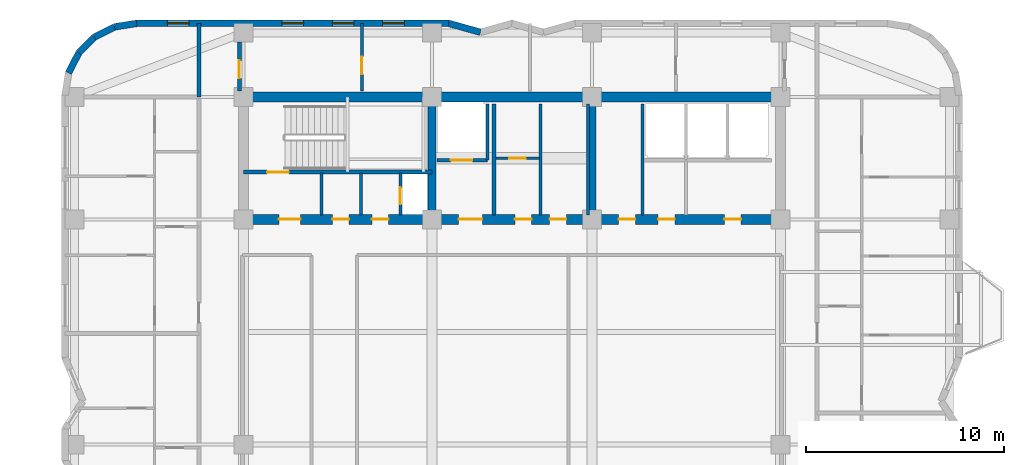
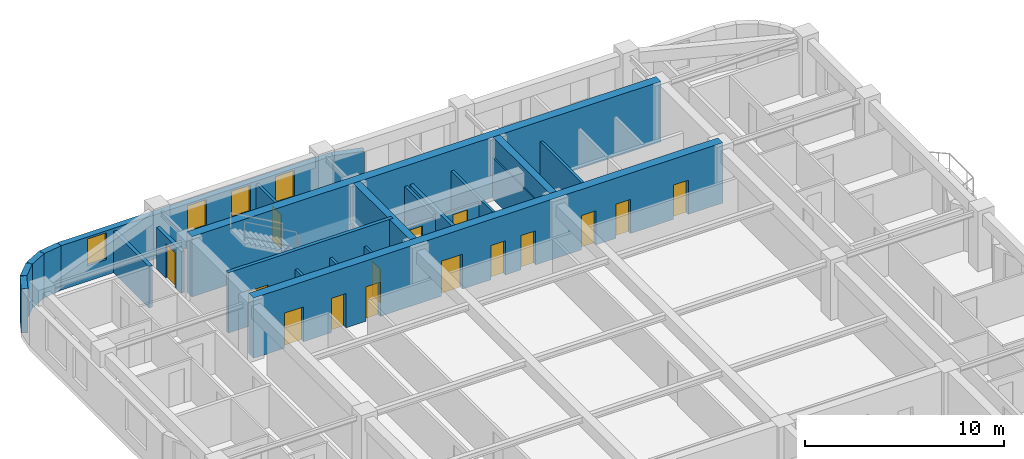
# One storey, part 6 of 9: 24 walls, 15 doors, 4 windows, 19 openings.
"""IFC4 building model written with IfcOpenShell, lengths in metres."""

from ifc_helpers import new_model, si_unit, direction, frame, frame_2d, origin, place, context, subcontext, project, spatial, rectangle, extrude, material, layer, layer_set, type_object, element, fill, save


model = new_model("IFC4")

# Units and contexts
model_context = context("Model", 3, precision=1e-05, world=origin(), true_north=direction((0.0, 1.0)))
body_context = subcontext(model_context, "Body", "Model", "MODEL_VIEW")
ifc_project = project(units=[si_unit("LENGTHUNIT", "METRE"), si_unit("AREAUNIT", "SQUARE_METRE"), si_unit("VOLUMEUNIT", "CUBIC_METRE"), si_unit("PLANEANGLEUNIT", "RADIAN"), si_unit("MASSUNIT", "GRAM", prefix="KILO")], contexts=[model_context])

# Site, building, storey
site_placement = place(None, origin())
site = spatial("IfcSite", under=ifc_project, at=site_placement, CompositionType="ELEMENT")
building_placement = place(site_placement, origin())
building = spatial("IfcBuilding", under=site, at=building_placement, Name="Svetorya Sky Lyceum", CompositionType="ELEMENT")
storey_placement = place(building_placement, frame((0.0, 0.0, 162.60009765625)))
storey = spatial("IfcBuildingStorey", under=building, at=storey_placement, Name="L40", CompositionType="ELEMENT", Elevation=162.60009765625)

# Walls
ifc_material_1 = material(Name="Concrete C40/50", Category="concrete")
ifc_layer_1 = layer(ifc_material_1, 0.39990234375)
ifc_layer_set_1 = layer_set([ifc_layer_1], Name="Concrete C40/50")
wall_type_1 = type_object("IfcWallType", Name="WL-CORE-400", PredefinedType="SHEAR", material=ifc_layer_set_1)
for number, where, z_axis, x_axis, name in (
    (1, (35.14990234375, 39.85009765625, 0.0), (0.0, 0.0, 1.0), (0.0, 1.0, 0.0), "L40 NC Internal Shear Web WEB1"),
    (2, (43.25, 39.85009765625, 0.0), (0.0, 0.0, 1.0), (0.0, 1.0, 0.0), "L40 NC Internal Shear Web WEB2"),
):
    element("IfcWall", number, at=place(storey_placement, frame(where, z_axis=z_axis, x_axis=x_axis)), inside=storey, type_object=wall_type_1, Name=name, PredefinedType="SHEAR", context=body_context, shape_type="SweptSolid", body=[
        extrude(rectangle(XDim=5.699951171875, YDim=0.39990234375, at=frame_2d((2.85009765625, 0.0))), origin(), (0.0, 0.0, 1.0), 3.699951171875),
    ])
ifc_material_2 = material(Name="Concrete C50/60", Category="concrete")
ifc_layer_2 = layer(ifc_material_2, 0.5)
ifc_layer_set_2 = layer_set([ifc_layer_2], Name="Concrete C50/60")
wall_type_2 = type_object("IfcWallType", Name="WL-CORE-500", PredefinedType="SHEAR", material=ifc_layer_set_2)
wall_1_placement = place(storey_placement, frame((25.60009765625, 45.800048828125, 0.0), z_axis=(0.0, 0.0, 1.0), x_axis=(1.0, 0.0, 0.0)))
element("IfcWall", 3, at=wall_1_placement, inside=storey, type_object=wall_type_2, Name="L40 NC Outer Core Shear Wall", PredefinedType="SHEAR", context=body_context, shape_type="SweptSolid", body=[
    extrude(rectangle(XDim=27.199951171875, YDim=0.5, at=frame_2d((13.60009765625, 0.0))), origin(), (0.0, 0.0, 1.0), 3.699951171875),
])

# Wall, openings, doors
wall_2_placement = place(storey_placement, frame((52.800048828125, 39.60009765625, 0.0), z_axis=(0.0, 0.0, 1.0), x_axis=(-1.0, 0.0, 0.0)))
wall_2 = element("IfcWall", 4, at=wall_2_placement, inside=storey, type_object=wall_type_2, Name="L40 NC Inner Core Shear Wall", PredefinedType="SHEAR", context=body_context, shape_type="SweptSolid", body=[
    extrude(rectangle(XDim=27.199951171875, YDim=0.5, at=frame_2d((13.60009765625, 0.0))), origin(), (0.0, 0.0, 1.0), 3.699951171875),
])
opening_1_placement = place(wall_2_placement, frame((24.300048828125, 0.0, 0.0)))
opening_1 = element("IfcOpeningElement", 5, at=opening_1_placement, cuts=wall_2, Name="Opening D-ST1", PredefinedType="OPENING", context=body_context, shape_type="SweptSolid", body=[
    extrude(rectangle(XDim=1.10009765625, YDim=2.14990234375, at=frame_2d((0.550048828125, 1.074951171875))), frame((0.0, 0.260009765625, 0.0), z_axis=(0.0, -1.0, 0.0), x_axis=(1.0, 0.0, 0.0)), (0.0, 0.0, 1.0), 0.52001953125),
])
opening_2_placement = place(wall_2_placement, frame((21.85009765625, 0.0, 0.0)))
opening_2 = element("IfcOpeningElement", 6, at=opening_2_placement, cuts=wall_2, Name="Opening D-CWC1", PredefinedType="OPENING", context=body_context, shape_type="SweptSolid", body=[
    extrude(rectangle(XDim=0.85009765625, YDim=2.10009765625, at=frame_2d((0.425048828125, 1.050048828125))), frame((0.0, 0.260009765625, 0.0), z_axis=(0.0, -1.0, 0.0), x_axis=(1.0, 0.0, 0.0)), (0.0, 0.0, 1.0), 0.52001953125),
])
opening_3_placement = place(wall_2_placement, frame((19.85009765625, 0.0, 0.0)))
opening_3 = element("IfcOpeningElement", 7, at=opening_3_placement, cuts=wall_2, Name="Opening D-CWC1", PredefinedType="OPENING", context=body_context, shape_type="SweptSolid", body=[
    extrude(rectangle(XDim=0.85009765625, YDim=2.10009765625, at=frame_2d((0.425048828125, 1.050048828125))), frame((0.0, 0.260009765625, 0.0), z_axis=(0.0, -1.0, 0.0), x_axis=(1.0, 0.0, 0.0)), (0.0, 0.0, 1.0), 0.52001953125),
])
opening_4_placement = place(wall_2_placement, frame((15.10009765625, 0.0, 0.0)))
opening_4 = element("IfcOpeningElement", 8, at=opening_4_placement, cuts=wall_2, Name="Opening D-FL1", PredefinedType="OPENING", context=body_context, shape_type="SweptSolid", body=[
    extrude(rectangle(XDim=1.199951171875, YDim=2.14990234375, at=frame_2d((0.60009765625, 1.074951171875))), frame((0.0, 0.260009765625, 0.0), z_axis=(0.0, -1.0, 0.0), x_axis=(1.0, 0.0, 0.0)), (0.0, 0.0, 1.0), 0.52001953125),
])
opening_5_placement = place(wall_2_placement, frame((12.60009765625, 0.0, 0.0)))
opening_5 = element("IfcOpeningElement", 9, at=opening_5_placement, cuts=wall_2, Name="Opening D-CWC1", PredefinedType="OPENING", context=body_context, shape_type="SweptSolid", body=[
    extrude(rectangle(XDim=0.85009765625, YDim=2.10009765625, at=frame_2d((0.425048828125, 1.050048828125))), frame((0.0, 0.260009765625, 0.0), z_axis=(0.0, -1.0, 0.0), x_axis=(1.0, 0.0, 0.0)), (0.0, 0.0, 1.0), 0.52001953125),
])
opening_6_placement = place(wall_2_placement, frame((10.85009765625, 0.0, 0.0)))
opening_6 = element("IfcOpeningElement", 10, at=opening_6_placement, cuts=wall_2, Name="Opening D-CWC1", PredefinedType="OPENING", context=body_context, shape_type="SweptSolid", body=[
    extrude(rectangle(XDim=0.85009765625, YDim=2.10009765625, at=frame_2d((0.425048828125, 1.050048828125))), frame((0.0, 0.260009765625, 0.0), z_axis=(0.0, -1.0, 0.0), x_axis=(1.0, 0.0, 0.0)), (0.0, 0.0, 1.0), 0.52001953125),
])
opening_7_placement = place(wall_2_placement, frame((7.35009765625, 0.0, 0.0)))
opening_7 = element("IfcOpeningElement", 11, at=opening_7_placement, cuts=wall_2, Name="Opening D-CWC1", PredefinedType="OPENING", context=body_context, shape_type="SweptSolid", body=[
    extrude(rectangle(XDim=0.85009765625, YDim=2.10009765625, at=frame_2d((0.425048828125, 1.050048828125))), frame((0.0, 0.260009765625, 0.0), z_axis=(0.0, -1.0, 0.0), x_axis=(1.0, 0.0, 0.0)), (0.0, 0.0, 1.0), 0.52001953125),
])
opening_8_placement = place(wall_2_placement, frame((5.35009765625, 0.0, 0.0)))
opening_8 = element("IfcOpeningElement", 12, at=opening_8_placement, cuts=wall_2, Name="Opening D-CWC1", PredefinedType="OPENING", context=body_context, shape_type="SweptSolid", body=[
    extrude(rectangle(XDim=0.85009765625, YDim=2.10009765625, at=frame_2d((0.425048828125, 1.050048828125))), frame((0.0, 0.260009765625, 0.0), z_axis=(0.0, -1.0, 0.0), x_axis=(1.0, 0.0, 0.0)), (0.0, 0.0, 1.0), 0.52001953125),
])
opening_9_placement = place(wall_2_placement, frame((2.0, 0.0, 0.0)))
opening_9 = element("IfcOpeningElement", 13, at=opening_9_placement, cuts=wall_2, Name="Opening D-CWC1", PredefinedType="OPENING", context=body_context, shape_type="SweptSolid", body=[
    extrude(rectangle(XDim=0.85009765625, YDim=2.10009765625, at=frame_2d((0.425048828125, 1.050048828125))), frame((0.0, 0.260009765625, 0.0), z_axis=(0.0, -1.0, 0.0), x_axis=(1.0, 0.0, 0.0)), (0.0, 0.0, 1.0), 0.52001953125),
])
ifc_material_3 = material(Name="Fire-rated galvanized steel core service closet door", Category="steel")
door_type_1 = type_object("IfcDoorType", Name="DR-CWET-850", OperationType="SINGLE_SWING_LEFT", PredefinedType="DOOR", material=ifc_material_3)
door_1_placement = place(opening_2_placement, origin())
door_1 = element("IfcDoor", 14, at=door_1_placement, inside=storey, type_object=door_type_1, Name="L40 North Cleaner Door", OperationType="SINGLE_SWING_RIGHT", OverallHeight=2.10009765625, OverallWidth=0.85009765625, PredefinedType="DOOR", context=body_context, shape_type="SweptSolid", body=[
    extrude(rectangle(XDim=0.85009765625, YDim=2.10009765625, at=frame_2d((0.425048828125, 1.050048828125))), frame((0.0, 0.02490234375, 0.0), z_axis=(0.0, -1.0, 0.0), x_axis=(1.0, 0.0, 0.0)), (0.0, 0.0, 1.0), 0.050048828125),
])
fill(opening_2, door_1)
door_2_placement = place(opening_3_placement, origin())
door_2 = element("IfcDoor", 15, at=door_2_placement, inside=storey, type_object=door_type_1, Name="L40 North Meter Door", OperationType="SINGLE_SWING_LEFT", OverallHeight=2.10009765625, OverallWidth=0.85009765625, PredefinedType="DOOR", context=body_context, shape_type="SweptSolid", body=[
    extrude(rectangle(XDim=0.85009765625, YDim=2.10009765625, at=frame_2d((0.425048828125, 1.050048828125))), frame((0.0, 0.02490234375, 0.0), z_axis=(0.0, -1.0, 0.0), x_axis=(1.0, 0.0, 0.0)), (0.0, 0.0, 1.0), 0.050048828125),
])
fill(opening_3, door_2)
door_3_placement = place(opening_5_placement, origin())
door_3 = element("IfcDoor", 16, at=door_3_placement, inside=storey, type_object=door_type_1, Name="L40 Cleaner Vestibule Door", OperationType="SINGLE_SWING_LEFT", OverallHeight=2.10009765625, OverallWidth=0.85009765625, PredefinedType="DOOR", context=body_context, shape_type="SweptSolid", body=[
    extrude(rectangle(XDim=0.85009765625, YDim=2.10009765625, at=frame_2d((0.425048828125, 1.050048828125))), frame((0.0, 0.02490234375, 0.0), z_axis=(0.0, -1.0, 0.0), x_axis=(1.0, 0.0, 0.0)), (0.0, 0.0, 1.0), 0.050048828125),
])
fill(opening_5, door_3)
door_4_placement = place(opening_6_placement, origin())
door_4 = element("IfcDoor", 17, at=door_4_placement, inside=storey, type_object=door_type_1, Name="L40 Upper Pram Store Door", OperationType="SINGLE_SWING_RIGHT", OverallHeight=2.10009765625, OverallWidth=0.85009765625, PredefinedType="DOOR", context=body_context, shape_type="SweptSolid", body=[
    extrude(rectangle(XDim=0.85009765625, YDim=2.10009765625, at=frame_2d((0.425048828125, 1.050048828125))), frame((0.0, 0.02490234375, 0.0), z_axis=(0.0, -1.0, 0.0), x_axis=(1.0, 0.0, 0.0)), (0.0, 0.0, 1.0), 0.050048828125),
])
fill(opening_6, door_4)
door_5_placement = place(opening_7_placement, origin())
door_5 = element("IfcDoor", 18, at=door_5_placement, inside=storey, type_object=door_type_1, Name="L40 High-Zone Utility Room Door", OperationType="SINGLE_SWING_LEFT", OverallHeight=2.10009765625, OverallWidth=0.85009765625, PredefinedType="DOOR", context=body_context, shape_type="SweptSolid", body=[
    extrude(rectangle(XDim=0.85009765625, YDim=2.10009765625, at=frame_2d((0.425048828125, 1.050048828125))), frame((0.0, 0.02490234375, 0.0), z_axis=(0.0, -1.0, 0.0), x_axis=(1.0, 0.0, 0.0)), (0.0, 0.0, 1.0), 0.050048828125),
])
fill(opening_7, door_5)
door_6_placement = place(opening_8_placement, origin())
door_6 = element("IfcDoor", 19, at=door_6_placement, inside=storey, type_object=door_type_1, Name="L40 North Electrical Door", OperationType="SINGLE_SWING_LEFT", OverallHeight=2.10009765625, OverallWidth=0.85009765625, PredefinedType="DOOR", context=body_context, shape_type="SweptSolid", body=[
    extrude(rectangle(XDim=0.85009765625, YDim=2.10009765625, at=frame_2d((0.425048828125, 1.050048828125))), frame((0.0, 0.02490234375, 0.0), z_axis=(0.0, -1.0, 0.0), x_axis=(1.0, 0.0, 0.0)), (0.0, 0.0, 1.0), 0.050048828125),
])
fill(opening_8, door_6)
door_7_placement = place(opening_9_placement, origin())
door_7 = element("IfcDoor", 20, at=door_7_placement, inside=storey, type_object=door_type_1, Name="L40 North Pram Door", OperationType="SINGLE_SWING_RIGHT", OverallHeight=2.10009765625, OverallWidth=0.85009765625, PredefinedType="DOOR", context=body_context, shape_type="SweptSolid", body=[
    extrude(rectangle(XDim=0.85009765625, YDim=2.10009765625, at=frame_2d((0.425048828125, 1.050048828125))), frame((0.0, 0.02490234375, 0.0), z_axis=(0.0, -1.0, 0.0), x_axis=(1.0, 0.0, 0.0)), (0.0, 0.0, 1.0), 0.050048828125),
])
fill(opening_9, door_7)
ifc_material_4 = material(Name="Powder-coated insulated galvanized stair fire door")
door_type_2 = type_object("IfcDoorType", Name="DR-FIRE-1100", OperationType="SINGLE_SWING_LEFT", PredefinedType="DOOR", material=ifc_material_4)
door_8_placement = place(opening_1_placement, origin())
door_8 = element("IfcDoor", 21, at=door_8_placement, inside=storey, type_object=door_type_2, Name="L40 North Stair Airlock Door", OperationType="SINGLE_SWING_LEFT", OverallHeight=2.14990234375, OverallWidth=1.10009765625, PredefinedType="DOOR", context=body_context, shape_type="SweptSolid", body=[
    extrude(rectangle(XDim=1.10009765625, YDim=2.14990234375, at=frame_2d((0.550048828125, 1.074951171875))), frame((0.0, 0.02490234375, 0.0), z_axis=(0.0, -1.0, 0.0), x_axis=(1.0, 0.0, 0.0)), (0.0, 0.0, 1.0), 0.050048828125),
])
fill(opening_1, door_8)
ifc_material_5 = material(Name="Powder-coated insulated galvanized fire door")
door_type_3 = type_object("IfcDoorType", Name="DR-FIRE-1200", OperationType="SINGLE_SWING_LEFT", PredefinedType="DOOR", material=ifc_material_5)
door_9_placement = place(opening_4_placement, origin())
door_9 = element("IfcDoor", 22, at=door_9_placement, inside=storey, type_object=door_type_3, Name="L40 North Firefighting Lift Lobby Door", OperationType="SINGLE_SWING_RIGHT", OverallHeight=2.14990234375, OverallWidth=1.199951171875, PredefinedType="DOOR", context=body_context, shape_type="SweptSolid", body=[
    extrude(rectangle(XDim=1.199951171875, YDim=2.14990234375, at=frame_2d((0.60009765625, 1.074951171875))), frame((0.0, 0.02490234375, 0.0), z_axis=(0.0, -1.0, 0.0), x_axis=(1.0, 0.0, 0.0)), (0.0, 0.0, 1.0), 0.050048828125),
])
fill(opening_4, door_9)

# Wall
ifc_material_6 = material(Name="Putilovo limestone rainscreen on autoclaved cellular masonry", Category="masonry")
ifc_layer_3 = layer(ifc_material_6, 0.340087890625)
ifc_layer_set_3 = layer_set([ifc_layer_3], Name="Putilovo limestone rainscreen on autoclaved cellular masonry")
wall_type_3 = type_object("IfcWallType", Name="WL-EXT-340", PredefinedType="SOLIDWALL", material=ifc_layer_set_3)
wall_3_placement = place(storey_placement, frame((37.60009765625, 49.080078125, 0.0), z_axis=(0.0, 0.0, 1.0), x_axis=(-0.962662902433, 0.270703040766, 0.0)))
element("IfcWall", 23, at=wall_3_placement, inside=storey, type_object=wall_type_3, Name="L40 Limestone Exterior Wall 33M", PredefinedType="SOLIDWALL", context=body_context, shape_type="SweptSolid", body=[
    extrude(rectangle(XDim=1.662109375, YDim=0.340087890625, at=frame_2d((0.8310546875, 0.0))), origin(), (0.0, 0.0, 1.0), 2.719970703125),
])

# Wall, openings, windows
wall_4_placement = place(storey_placement, frame((36.0, 49.530029296875, 0.0), z_axis=(0.0, 0.0, 1.0), x_axis=(-1.0, 0.0, 0.0)))
wall_4 = element("IfcWall", 24, at=wall_4_placement, inside=storey, type_object=wall_type_3, Name="L40 Limestone Exterior Wall 34M", PredefinedType="SOLIDWALL", context=body_context, shape_type="SweptSolid", body=[
    extrude(rectangle(XDim=15.800048828125, YDim=0.340087890625, at=frame_2d((7.89990234375, 0.0))), origin(), (0.0, 0.0, 1.0), 2.719970703125),
])
opening_10_placement = place(wall_4_placement, frame((2.25, 0.0, 0.949951171875)))
opening_10 = element("IfcOpeningElement", 25, at=opening_10_placement, cuts=wall_4, Name="Opening W-R3", PredefinedType="OPENING", context=body_context, shape_type="SweptSolid", body=[
    extrude(rectangle(XDim=1.10009765625, YDim=1.64990234375, at=frame_2d((0.550048828125, 0.824951171875))), frame((0.0, 0.179931640625, 0.0), z_axis=(0.0, -1.0, 0.0), x_axis=(1.0, 0.0, 0.0)), (0.0, 0.0, 1.0), 0.360107421875),
])
opening_11_placement = place(wall_4_placement, frame((4.800048828125, 0.0, 0.949951171875)))
opening_11 = element("IfcOpeningElement", 26, at=opening_11_placement, cuts=wall_4, Name="Opening W-R3", PredefinedType="OPENING", context=body_context, shape_type="SweptSolid", body=[
    extrude(rectangle(XDim=1.10009765625, YDim=1.64990234375, at=frame_2d((0.550048828125, 0.824951171875))), frame((0.0, 0.179931640625, 0.0), z_axis=(0.0, -1.0, 0.0), x_axis=(1.0, 0.0, 0.0)), (0.0, 0.0, 1.0), 0.360107421875),
])
opening_12_placement = place(wall_4_placement, frame((7.35009765625, 0.0, 0.949951171875)))
opening_12 = element("IfcOpeningElement", 27, at=opening_12_placement, cuts=wall_4, Name="Opening W-R3", PredefinedType="OPENING", context=body_context, shape_type="SweptSolid", body=[
    extrude(rectangle(XDim=1.10009765625, YDim=1.64990234375, at=frame_2d((0.550048828125, 0.824951171875))), frame((0.0, 0.179931640625, 0.0), z_axis=(0.0, -1.0, 0.0), x_axis=(1.0, 0.0, 0.0)), (0.0, 0.0, 1.0), 0.360107421875),
])
opening_13_placement = place(wall_4_placement, frame((13.14990234375, 0.0, 0.949951171875)))
opening_13 = element("IfcOpeningElement", 28, at=opening_13_placement, cuts=wall_4, Name="Opening W-R3", PredefinedType="OPENING", context=body_context, shape_type="SweptSolid", body=[
    extrude(rectangle(XDim=1.10009765625, YDim=1.64990234375, at=frame_2d((0.550048828125, 0.824951171875))), frame((0.0, 0.179931640625, 0.0), z_axis=(0.0, -1.0, 0.0), x_axis=(1.0, 0.0, 0.0)), (0.0, 0.0, 1.0), 0.360107421875),
])
ifc_material_7 = material(Name="Thermally broken aluminium frame with triple low-E glazing", Category="aluminium")
window_type = type_object("IfcWindowType", Name="WN-RES-110", PartitioningType="SINGLE_PANEL", PredefinedType="WINDOW", material=ifc_material_7)
window_1_placement = place(opening_10_placement, origin())
window_1 = element("IfcWindow", 29, at=window_1_placement, inside=storey, type_object=window_type, Name="L40 Facade Window W-R3.34M.1", OverallHeight=1.64990234375, OverallWidth=1.10009765625, PartitioningType="SINGLE_PANEL", PredefinedType="WINDOW", context=body_context, shape_type="SweptSolid", body=[
    extrude(rectangle(XDim=1.10009765625, YDim=1.64990234375, at=frame_2d((0.550048828125, 0.824951171875))), frame((0.0, 0.030029296875, 0.0), z_axis=(0.0, -1.0, 0.0), x_axis=(1.0, 0.0, 0.0)), (0.0, 0.0, 1.0), 0.06005859375),
])
fill(opening_10, window_1)
window_2_placement = place(opening_11_placement, origin())
window_2 = element("IfcWindow", 30, at=window_2_placement, inside=storey, type_object=window_type, Name="L40 Facade Window W-R3.34M.2", OverallHeight=1.64990234375, OverallWidth=1.10009765625, PartitioningType="SINGLE_PANEL", PredefinedType="WINDOW", context=body_context, shape_type="SweptSolid", body=[
    extrude(rectangle(XDim=1.10009765625, YDim=1.64990234375, at=frame_2d((0.550048828125, 0.824951171875))), frame((0.0, 0.030029296875, 0.0), z_axis=(0.0, -1.0, 0.0), x_axis=(1.0, 0.0, 0.0)), (0.0, 0.0, 1.0), 0.06005859375),
])
fill(opening_11, window_2)
window_3_placement = place(opening_12_placement, origin())
window_3 = element("IfcWindow", 31, at=window_3_placement, inside=storey, type_object=window_type, Name="L40 Facade Window W-R3.34M.3", OverallHeight=1.64990234375, OverallWidth=1.10009765625, PartitioningType="SINGLE_PANEL", PredefinedType="WINDOW", context=body_context, shape_type="SweptSolid", body=[
    extrude(rectangle(XDim=1.10009765625, YDim=1.64990234375, at=frame_2d((0.550048828125, 0.824951171875))), frame((0.0, 0.030029296875, 0.0), z_axis=(0.0, -1.0, 0.0), x_axis=(1.0, 0.0, 0.0)), (0.0, 0.0, 1.0), 0.06005859375),
])
fill(opening_12, window_3)
window_4_placement = place(opening_13_placement, origin())
window_4 = element("IfcWindow", 32, at=window_4_placement, inside=storey, type_object=window_type, Name="L40 Facade Window W-R3.34M.4", OverallHeight=1.64990234375, OverallWidth=1.10009765625, PartitioningType="SINGLE_PANEL", PredefinedType="WINDOW", context=body_context, shape_type="SweptSolid", body=[
    extrude(rectangle(XDim=1.10009765625, YDim=1.64990234375, at=frame_2d((0.550048828125, 0.824951171875))), frame((0.0, 0.030029296875, 0.0), z_axis=(0.0, -1.0, 0.0), x_axis=(1.0, 0.0, 0.0)), (0.0, 0.0, 1.0), 0.06005859375),
])
fill(opening_13, window_4)

# Walls
wall_5_placement = place(storey_placement, frame((20.199951171875, 49.530029296875, 0.0), z_axis=(0.0, 0.0, 1.0), x_axis=(-0.987675651954, -0.156514556949, 0.0)))
element("IfcWall", 33, at=wall_5_placement, inside=storey, type_object=wall_type_3, Name="L40 Limestone Exterior Wall 35M", PredefinedType="SOLIDWALL", context=body_context, shape_type="SweptSolid", body=[
    extrude(rectangle(XDim=1.135498046875, YDim=0.340087890625, at=frame_2d((0.56787109375, 0.0))), origin(), (0.0, 0.0, 1.0), 2.719970703125),
])
for number, where, z_axis, x_axis, name in (
    (34, (19.078369140625, 49.352294921875, 0.0), (0.0, 0.0, 1.0), (-0.891005044957, -0.453993402883, 0.0), "L40 Limestone Exterior Wall 36M"),
    (35, (18.06640625, 48.836669921875, 0.0), (0.0, 0.0, 1.0), (-0.707214252388, -0.706999293649, 0.0), "L40 Limestone Exterior Wall 37M"),
    (36, (17.26318359375, 48.03369140625, 0.0), (0.0, 0.0, 1.0), (-0.453822724105, -0.891091990249, 0.0), "L40 Limestone Exterior Wall 38M"),
):
    element("IfcWall", number, at=place(storey_placement, frame(where, z_axis=z_axis, x_axis=x_axis)), inside=storey, type_object=wall_type_3, Name=name, PredefinedType="SOLIDWALL", context=body_context, shape_type="SweptSolid", body=[
        extrude(rectangle(XDim=1.1357421875, YDim=0.340087890625, at=frame_2d((0.56787109375, 0.0))), origin(), (0.0, 0.0, 1.0), 2.719970703125),
    ])

# Wall, opening, door
ifc_material_8 = material(Name="Twin-stud galvanized framing with double fireboard", Category="gypsum")
ifc_layer_4 = layer(ifc_material_8, 0.1201171875)
ifc_layer_set_4 = layer_set([ifc_layer_4], Name="Twin-stud galvanized framing with double fireboard")
wall_type_4 = type_object("IfcWallType", Name="WL-PART-120", PredefinedType="PARTITIONING", material=ifc_layer_set_4)
wall_6_placement = place(storey_placement, frame((38.39990234375, 42.699951171875, 0.0), z_axis=(0.0, 0.0, 1.0), x_axis=(1.0, 0.0, 0.0)))
wall_6 = element("IfcWall", 37, at=wall_6_placement, inside=storey, type_object=wall_type_4, Name="L40 Interior Partition NC-FPM-H", PredefinedType="PARTITIONING", context=body_context, shape_type="SweptSolid", body=[
    extrude(rectangle(XDim=2.2001953125, YDim=0.1201171875, at=frame_2d((1.10009765625, 0.0))), origin(), (0.0, 0.0, 1.0), 2.31982421875),
])
opening_14_placement = place(wall_6_placement, frame((0.64990234375, 0.0, 0.0)))
opening_14 = element("IfcOpeningElement", 38, at=opening_14_placement, cuts=wall_6, Name="Opening D-CWC1", PredefinedType="OPENING", context=body_context, shape_type="SweptSolid", body=[
    extrude(rectangle(XDim=0.85009765625, YDim=2.10009765625, at=frame_2d((0.425048828125, 1.050048828125))), frame((0.0, 0.070068359375, 0.0), z_axis=(0.0, -1.0, 0.0), x_axis=(1.0, 0.0, 0.0)), (0.0, 0.0, 1.0), 0.14013671875),
])
door_10_placement = place(opening_14_placement, origin())
door_10 = element("IfcDoor", 39, at=door_10_placement, inside=storey, type_object=door_type_1, Name="L40 Rear IT Closet Door", OperationType="SINGLE_SWING_LEFT", OverallHeight=2.10009765625, OverallWidth=0.85009765625, PredefinedType="DOOR", context=body_context, shape_type="SweptSolid", body=[
    extrude(rectangle(XDim=0.85009765625, YDim=2.10009765625, at=frame_2d((0.425048828125, 1.050048828125))), frame((0.0, 0.02490234375, 0.0), z_axis=(0.0, -1.0, 0.0), x_axis=(1.0, 0.0, 0.0)), (0.0, 0.0, 1.0), 0.050048828125),
])
fill(opening_14, door_10)

ifc_material_9 = material(Name="Autoclaved cellular masonry blockwork with acoustic render", Category="masonry")
ifc_layer_5 = layer(ifc_material_9, 0.14990234375)
ifc_layer_set_5 = layer_set([ifc_layer_5], Name="Autoclaved cellular masonry blockwork with acoustic render")
wall_type_5 = type_object("IfcWallType", Name="WL-PART-150", PredefinedType="PARTITIONING", material=ifc_layer_set_5)
wall_7_placement = place(storey_placement, frame((33.550048828125, 39.820068359375, 0.0), z_axis=(0.0, 0.0, 1.0), x_axis=(0.0, 1.0, 0.0)))
wall_7 = element("IfcWall", 40, at=wall_7_placement, inside=storey, type_object=wall_type_5, Name="L40 Interior Partition NC-RSRW", PredefinedType="PARTITIONING", context=body_context, shape_type="SweptSolid", body=[
    extrude(rectangle(XDim=2.1298828125, YDim=0.14990234375, at=frame_2d((1.06494140625, 0.0))), origin(), (0.0, 0.0, 1.0), 2.5498046875),
])
opening_15_placement = place(wall_7_placement, frame((0.550048828125, 0.0, 0.0)))
opening_15 = element("IfcOpeningElement", 41, at=opening_15_placement, cuts=wall_7, Name="Opening D-SH1", PredefinedType="OPENING", context=body_context, shape_type="SweptSolid", body=[
    extrude(rectangle(XDim=0.85009765625, YDim=2.050048828125, at=frame_2d((0.425048828125, 1.02490234375))), frame((0.0, 0.0849609375, 0.0), z_axis=(0.0, -1.0, 0.0), x_axis=(1.0, 0.0, 0.0)), (0.0, 0.0, 1.0), 0.169921875),
])
ifc_material_10 = material(Name="Insulated galvanized riser inspection fire door")
door_type_4 = type_object("IfcDoorType", Name="DR-SHFT-850", OperationType="SINGLE_SWING_LEFT", PredefinedType="TRAPDOOR", material=ifc_material_10)
door_11_placement = place(opening_15_placement, origin())
door_11 = element("IfcDoor", 42, at=door_11_placement, inside=storey, type_object=door_type_4, Name="L40 North Riser Access Door", OperationType="SINGLE_SWING_LEFT", OverallHeight=2.050048828125, OverallWidth=0.85009765625, PredefinedType="TRAPDOOR", context=body_context, shape_type="SweptSolid", body=[
    extrude(rectangle(XDim=0.85009765625, YDim=2.050048828125, at=frame_2d((0.425048828125, 1.02490234375))), frame((0.0, 0.02490234375, 0.0), z_axis=(0.0, -1.0, 0.0), x_axis=(1.0, 0.0, 0.0)), (0.0, 0.0, 1.0), 0.050048828125),
])
fill(opening_15, door_11)

# Walls
for number, where, z_axis, x_axis, name in (
    (43, (29.550048828125, 39.820068359375, 0.0), (0.0, 0.0, 1.0), (0.0, 1.0, 0.0), "L40 Interior Partition NC-NWD1"),
    (44, (31.550048828125, 39.820068359375, 0.0), (0.0, 0.0, 1.0), (0.0, 1.0, 0.0), "L40 Interior Partition NC-NWD2"),
):
    element("IfcWall", number, at=place(storey_placement, frame(where, z_axis=z_axis, x_axis=x_axis)), inside=storey, type_object=wall_type_5, Name=name, PredefinedType="PARTITIONING", context=body_context, shape_type="SweptSolid", body=[
        extrude(rectangle(XDim=2.1298828125, YDim=0.14990234375, at=frame_2d((1.06494140625, 0.0))), origin(), (0.0, 0.0, 1.0), 2.5498046875),
    ])
wall_8_placement = place(storey_placement, frame((37.949951171875, 42.60009765625, 0.0), z_axis=(0.0, 0.0, 1.0), x_axis=(0.0, 1.0, 0.0)))
element("IfcWall", 45, at=wall_8_placement, inside=storey, type_object=wall_type_5, Name="L40 Interior Partition NC-FL1SIDE", PredefinedType="PARTITIONING", context=body_context, shape_type="SweptSolid", body=[
    extrude(rectangle(XDim=2.849853515625, YDim=0.14990234375, at=frame_2d((1.4248046875, 0.0))), origin(), (0.0, 0.0, 1.0), 2.5498046875),
])
for number, where, z_axis, x_axis, name in (
    (46, (43.050048828125, 39.820068359375, 0.0), (0.0, 0.0, 1.0), (0.0, 1.0, 0.0), "L40 Interior Partition NC-FPM-END"),
    (47, (40.64990234375, 39.820068359375, 0.0), (0.0, 0.0, 1.0), (0.0, 1.0, 0.0), "L40 Interior Partition NC-FPM-V"),
    (48, (45.800048828125, 39.820068359375, 0.0), (0.0, 0.0, 1.0), (0.0, 1.0, 0.0), "L40 Interior Partition NC-PM3-FULL"),
):
    element("IfcWall", number, at=place(storey_placement, frame(where, z_axis=z_axis, x_axis=x_axis)), inside=storey, type_object=wall_type_5, Name=name, PredefinedType="PARTITIONING", context=body_context, shape_type="SweptSolid", body=[
        extrude(rectangle(XDim=5.6298828125, YDim=0.14990234375, at=frame_2d((2.81494140625, 0.0))), origin(), (0.0, 0.0, 1.0), 2.5498046875),
    ])

# Wall, opening, door
wall_9_placement = place(storey_placement, frame((31.60009765625, 46.10009765625, 0.0), z_axis=(0.0, 0.0, 1.0), x_axis=(0.0, 1.0, 0.0)))
wall_9 = element("IfcWall", 49, at=wall_9_placement, inside=storey, type_object=wall_type_5, Name="L40 Interior Partition N4-D1", PredefinedType="PARTITIONING", context=body_context, shape_type="SweptSolid", body=[
    extrude(rectangle(XDim=3.429931640625, YDim=0.14990234375, at=frame_2d((1.71484375, 0.0))), origin(), (0.0, 0.0, 1.0), 2.5498046875),
])
opening_16_placement = place(wall_9_placement, frame((0.85009765625, 0.0, 0.0)))
opening_16 = element("IfcOpeningElement", 50, at=opening_16_placement, cuts=wall_9, Name="Opening D-RM1", PredefinedType="OPENING", context=body_context, shape_type="SweptSolid", body=[
    extrude(rectangle(XDim=0.89990234375, YDim=2.10009765625, at=frame_2d((0.449951171875, 1.050048828125))), frame((0.0, 0.0849609375, 0.0), z_axis=(0.0, -1.0, 0.0), x_axis=(1.0, 0.0, 0.0)), (0.0, 0.0, 1.0), 0.169921875),
])
ifc_material_11 = material(Name="Lacquered birch veneer internal door")
door_type_5 = type_object("IfcDoorType", Name="DR-INT-900", OperationType="SINGLE_SWING_LEFT", PredefinedType="DOOR", material=ifc_material_11)
door_12_placement = place(opening_16_placement, origin())
door_12 = element("IfcDoor", 51, at=door_12_placement, inside=storey, type_object=door_type_5, Name="L40 North Suite Door 1", OperationType="SINGLE_SWING_RIGHT", OverallHeight=2.10009765625, OverallWidth=0.89990234375, PredefinedType="DOOR", context=body_context, shape_type="SweptSolid", body=[
    extrude(rectangle(XDim=0.89990234375, YDim=2.10009765625, at=frame_2d((0.449951171875, 1.050048828125))), frame((0.0, 0.02490234375, 0.0), z_axis=(0.0, -1.0, 0.0), x_axis=(1.0, 0.0, 0.0)), (0.0, 0.0, 1.0), 0.050048828125),
])
fill(opening_16, door_12)

ifc_material_12 = material(Name="Autoclaved cellular masonry blockwork with gypsum plaster", Category="masonry")
ifc_layer_6 = layer(ifc_material_12, 0.199951171875)
ifc_layer_set_6 = layer_set([ifc_layer_6], Name="Autoclaved cellular masonry blockwork with gypsum plaster")
wall_type_6 = type_object("IfcWallType", Name="WL-PART-200", PredefinedType="PARTITIONING", material=ifc_layer_set_6)
wall_10_placement = place(storey_placement, frame((37.949951171875, 42.60009765625, 0.0), z_axis=(0.0, 0.0, 1.0), x_axis=(-1.0, 0.0, 0.0)))
wall_10 = element("IfcWall", 52, at=wall_10_placement, inside=storey, type_object=wall_type_6, Name="L40 Interior Partition NC-FL1W", PredefinedType="PARTITIONING", context=body_context, shape_type="SweptSolid", body=[
    extrude(rectangle(XDim=2.550048828125, YDim=0.199951171875, at=frame_2d((1.27490234375, 0.0))), origin(), (0.0, 0.0, 1.0), 2.31982421875),
])
opening_17_placement = place(wall_10_placement, frame((0.75, 0.0, 0.0)))
opening_17 = element("IfcOpeningElement", 53, at=opening_17_placement, cuts=wall_10, Name="Opening LD-FL", PredefinedType="OPENING", context=body_context, shape_type="SweptSolid", body=[
    extrude(rectangle(XDim=1.10009765625, YDim=2.14990234375, at=frame_2d((0.550048828125, 1.074951171875))), frame((0.0, 0.10986328125, 0.0), z_axis=(0.0, -1.0, 0.0), x_axis=(1.0, 0.0, 0.0)), (0.0, 0.0, 1.0), 0.219970703125),
])
ifc_material_13 = material(Name="Fire-rated stainless AISI 304 firefighting lift landing door")
door_type_6 = type_object("IfcDoorType", Name="DR-LIFT-1100", OperationType="SLIDING_TO_LEFT", PredefinedType="DOOR", material=ifc_material_13)
door_13_placement = place(opening_17_placement, origin())
door_13 = element("IfcDoor", 54, at=door_13_placement, inside=storey, type_object=door_type_6, Name="L40 Firefighting Lift FL1 Landing Door", OperationType="SLIDING_TO_LEFT", OverallHeight=2.14990234375, OverallWidth=1.10009765625, PredefinedType="DOOR", context=body_context, shape_type="SweptSolid", body=[
    extrude(rectangle(XDim=1.10009765625, YDim=2.14990234375, at=frame_2d((0.550048828125, 1.074951171875))), frame((0.0, 0.02490234375, 0.0), z_axis=(0.0, -1.0, 0.0), x_axis=(1.0, 0.0, 0.0)), (0.0, 0.0, 1.0), 0.050048828125),
])
fill(opening_17, door_13)

# Walls
wall_11_placement = place(storey_placement, frame((38.280029296875, 39.820068359375, 0.0), z_axis=(0.0, 0.0, 1.0), x_axis=(0.0, 1.0, 0.0)))
element("IfcWall", 55, at=wall_11_placement, inside=storey, type_object=wall_type_6, Name="L40 Interior Partition NC-FFLDIV", PredefinedType="PARTITIONING", context=body_context, shape_type="SweptSolid", body=[
    extrude(rectangle(XDim=5.6298828125, YDim=0.199951171875, at=frame_2d((2.81494140625, 0.0))), origin(), (0.0, 0.0, 1.0), 2.5498046875),
])
wall_12_placement = place(storey_placement, frame((23.35009765625, 45.800048828125, 0.0), z_axis=(0.0, 0.0, 1.0), x_axis=(0.0, 1.0, 0.0)))
element("IfcWall", 56, at=wall_12_placement, inside=storey, type_object=wall_type_6, Name="L40 Interior Partition WC-NW-END", PredefinedType="PARTITIONING", context=body_context, shape_type="SweptSolid", body=[
    extrude(rectangle(XDim=3.72998046875, YDim=0.199951171875, at=frame_2d((1.864990234375, 0.0))), origin(), (0.0, 0.0, 1.0), 2.5498046875),
])

# Wall, opening, door
wall_13_placement = place(storey_placement, frame((25.39990234375, 46.10009765625, 0.0), z_axis=(0.0, 0.0, 1.0), x_axis=(0.0, 1.0, 0.0)))
wall_13 = element("IfcWall", 57, at=wall_13_placement, inside=storey, type_object=wall_type_6, Name="L40 Interior Partition N4-EW", PredefinedType="PARTITIONING", context=body_context, shape_type="SweptSolid", body=[
    extrude(rectangle(XDim=2.47998046875, YDim=0.199951171875, at=frame_2d((1.239990234375, 0.0))), origin(), (0.0, 0.0, 1.0), 2.5498046875),
])
opening_18_placement = place(wall_13_placement, frame((0.64990234375, 0.0, 0.0)))
opening_18 = element("IfcOpeningElement", 58, at=opening_18_placement, cuts=wall_13, Name="Opening D-RM1", PredefinedType="OPENING", context=body_context, shape_type="SweptSolid", body=[
    extrude(rectangle(XDim=0.89990234375, YDim=2.10009765625, at=frame_2d((0.449951171875, 1.050048828125))), frame((0.0, 0.10986328125, 0.0), z_axis=(0.0, -1.0, 0.0), x_axis=(1.0, 0.0, 0.0)), (0.0, 0.0, 1.0), 0.219970703125),
])
door_14_placement = place(opening_18_placement, origin())
door_14 = element("IfcDoor", 59, at=door_14_placement, inside=storey, type_object=door_type_5, Name="L40 NW Study Door", OperationType="SINGLE_SWING_RIGHT", OverallHeight=2.10009765625, OverallWidth=0.89990234375, PredefinedType="DOOR", context=body_context, shape_type="SweptSolid", body=[
    extrude(rectangle(XDim=0.89990234375, YDim=2.10009765625, at=frame_2d((0.449951171875, 1.050048828125))), frame((0.0, 0.02490234375, 0.0), z_axis=(0.0, -1.0, 0.0), x_axis=(1.0, 0.0, 0.0)), (0.0, 0.0, 1.0), 0.050048828125),
])
fill(opening_18, door_14)

ifc_layer_7 = layer(ifc_material_2, 0.199951171875)
ifc_layer_set_7 = layer_set([ifc_layer_7], Name="Concrete C50/60")
wall_type_7 = type_object("IfcWallType", Name="WL-SHW-200", PredefinedType="SHEAR", material=ifc_layer_set_7)
wall_14_placement = place(storey_placement, frame((35.14990234375, 42.0, 0.0), z_axis=(0.0, 0.0, 1.0), x_axis=(-1.0, 0.0, 0.0)))
wall_14 = element("IfcWall", 60, at=wall_14_placement, inside=storey, type_object=wall_type_7, Name="L40 Structural Stair Shaft Wall NC-STW", PredefinedType="SHEAR", context=body_context, shape_type="SweptSolid", body=[
    extrude(rectangle(XDim=9.5498046875, YDim=0.199951171875, at=frame_2d((4.77490234375, 0.0))), origin(), (0.0, 0.0, 1.0), 3.699951171875),
])
opening_19_placement = place(wall_14_placement, frame((7.25, 0.0, 0.0)))
opening_19 = element("IfcOpeningElement", 61, at=opening_19_placement, cuts=wall_14, Name="Opening D-ST1", PredefinedType="OPENING", context=body_context, shape_type="SweptSolid", body=[
    extrude(rectangle(XDim=1.10009765625, YDim=2.14990234375, at=frame_2d((0.550048828125, 1.074951171875))), frame((0.0, 0.10986328125, 0.0), z_axis=(0.0, -1.0, 0.0), x_axis=(1.0, 0.0, 0.0)), (0.0, 0.0, 1.0), 0.219970703125),
])
door_15_placement = place(opening_19_placement, origin())
door_15 = element("IfcDoor", 62, at=door_15_placement, inside=storey, type_object=door_type_2, Name="L40 Stair ST-N Vestibule Fire Door", OperationType="SINGLE_SWING_RIGHT", OverallHeight=2.14990234375, OverallWidth=1.10009765625, PredefinedType="DOOR", context=body_context, shape_type="SweptSolid", body=[
    extrude(rectangle(XDim=1.10009765625, YDim=2.14990234375, at=frame_2d((0.550048828125, 1.074951171875))), frame((0.0, 0.02490234375, 0.0), z_axis=(0.0, -1.0, 0.0), x_axis=(1.0, 0.0, 0.0)), (0.0, 0.0, 1.0), 0.050048828125),
])
fill(opening_19, door_15)

save(model, "model.ifc")
